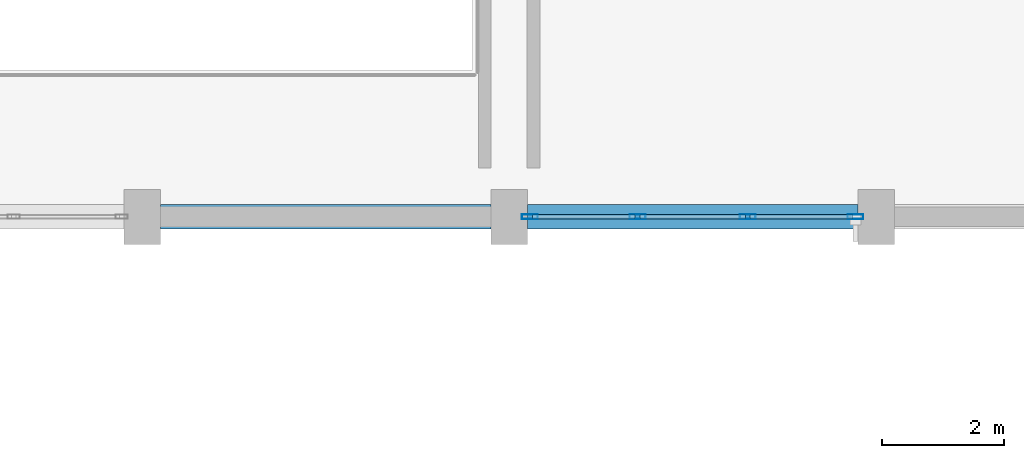
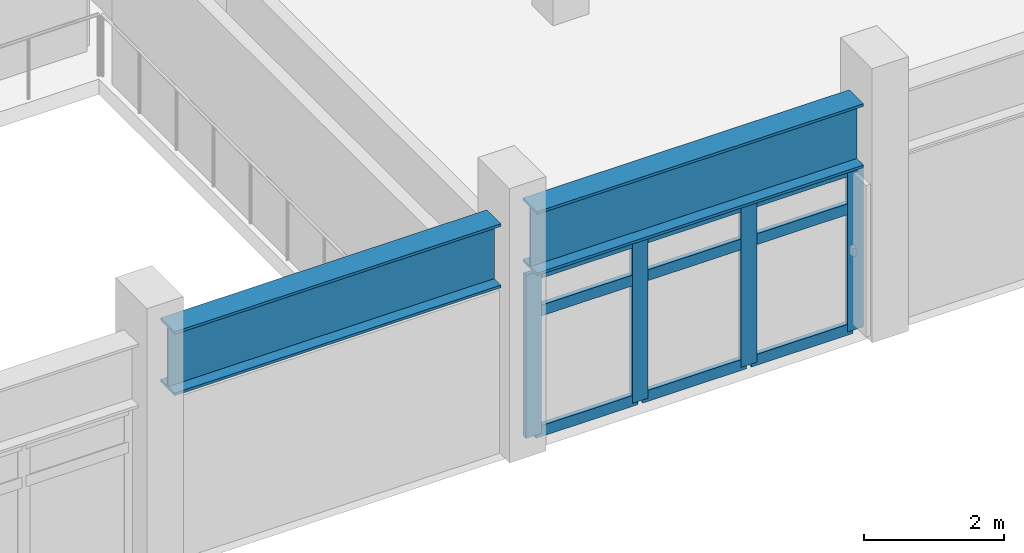
# One storey, part 7 of 62: 13 members, 2 beams, 1 element without a shape of its own.
"""IFC4 building model written with IfcOpenShell, lengths in metres."""

from ifc_helpers import new_model, si_unit, direction, frame, origin, origin_2d, place, context, subcontext, project, spatial, hollow_rectangle, i_section, extrude, material, layer, layer_set, material_profile, profile_set, type_object, element, aggregate, save


model = new_model("IFC4")

# Units and contexts
model_context = context("Model", 3, precision=1e-05, world=origin(), true_north=direction((0.0, 1.0)))
body_context = subcontext(model_context, "Body", "Model", "MODEL_VIEW")
ifc_project = project(units=[si_unit("LENGTHUNIT", "METRE"), si_unit("AREAUNIT", "SQUARE_METRE"), si_unit("VOLUMEUNIT", "CUBIC_METRE"), si_unit("PLANEANGLEUNIT", "RADIAN"), si_unit("MASSUNIT", "GRAM", prefix="KILO")], contexts=[model_context])

# Site, building, storey
site_placement = place(None, origin())
site = spatial("IfcSite", under=ifc_project, at=site_placement, CompositionType="ELEMENT")
building_placement = place(site_placement, origin())
building = spatial("IfcBuilding", under=site, at=building_placement, Name="Vaelkrest Opera House", CompositionType="ELEMENT")
storey_placement = place(building_placement, frame((0.0, 0.0, 19.800048828125)))
storey = spatial("IfcBuildingStorey", under=building, at=storey_placement, Name="L04", CompositionType="ELEMENT", Elevation=19.800048828125)

# Curtain wall, members
ifc_material_1 = material(Name="Dark bronze anodized aluminium", Category="aluminium")
ifc_layer = layer(ifc_material_1, 0.2099609375)
ifc_layer_set = layer_set([ifc_layer], Name="Dark bronze anodized aluminium")
curtain_wall_type = type_object("IfcCurtainWallType", Name="CW04", PredefinedType="NOTDEFINED", material=ifc_layer_set)
curtain_wall_placement = place(storey_placement, origin())
curtain_wall = element("IfcCurtainWall", 1, at=curtain_wall_placement, inside=storey, type_object=curtain_wall_type, Name="Curtain wall CW-L04-138", PredefinedType="NOTDEFINED")
ifc_material_profile_1 = material_profile(ifc_material_1, hollow_rectangle(XDim=0.080078125, YDim=0.260009765625, WallThickness=0.0048828125, at=origin_2d()), Name="CWM80X260")
ifc_profile_set_1 = profile_set([ifc_material_profile_1], Name="Dark bronze anodized aluminium")
member_type_1 = type_object("IfcMemberType", Name="CWM04", PredefinedType="MULLION", material=ifc_profile_set_1)
member_1_placement = place(storey_placement, frame((-45.93798828125, -16.800048828125, 0.0), z_axis=(0.0, 0.0, 1.0), x_axis=(0.0, -1.0, 0.0)))
member_1 = element("IfcMember", 2, at=member_1_placement, type_object=member_type_1, Name="CW04 mullion 1", PredefinedType="MULLION", context=body_context, shape_type="SweptSolid", body=[
    extrude(hollow_rectangle(XDim=0.080078125, YDim=0.260009765625, WallThickness=0.0048828125, at=origin_2d()), origin(), (0.0, 0.0, 1.0), 2.85205078125),
])
member_2_placement = place(storey_placement, frame((-47.69921875, -16.800048828125, 0.0), z_axis=(0.0, 0.0, 1.0), x_axis=(0.0, -1.0, 0.0)))
member_2 = element("IfcMember", 3, at=member_2_placement, type_object=member_type_1, Name="CW04 mullion 2", PredefinedType="MULLION", context=body_context, shape_type="SweptSolid", body=[
    extrude(hollow_rectangle(XDim=0.080078125, YDim=0.260009765625, WallThickness=0.0048828125, at=origin_2d()), origin(), (0.0, 0.0, 1.0), 2.85205078125),
])
member_3_placement = place(storey_placement, frame((-49.500732421875, -16.800048828125, 0.0), z_axis=(0.0, 0.0, 1.0), x_axis=(0.0, -1.0, 0.0)))
member_3 = element("IfcMember", 4, at=member_3_placement, type_object=member_type_1, Name="CW04 mullion 3", PredefinedType="MULLION", context=body_context, shape_type="SweptSolid", body=[
    extrude(hollow_rectangle(XDim=0.080078125, YDim=0.260009765625, WallThickness=0.0048828125, at=origin_2d()), origin(), (0.0, 0.0, 1.0), 2.85205078125),
])
member_4_placement = place(storey_placement, frame((-51.261962890625, -16.800048828125, 0.0), z_axis=(0.0, 0.0, 1.0), x_axis=(0.0, -1.0, 0.0)))
member_4 = element("IfcMember", 5, at=member_4_placement, type_object=member_type_1, Name="CW04 mullion 4", PredefinedType="MULLION", context=body_context, shape_type="SweptSolid", body=[
    extrude(hollow_rectangle(XDim=0.080078125, YDim=0.260009765625, WallThickness=0.0048828125, at=origin_2d()), origin(), (0.0, 0.0, 1.0), 2.85205078125),
])
ifc_material_profile_2 = material_profile(ifc_material_1, hollow_rectangle(XDim=0.080078125, YDim=0.18994140625, WallThickness=0.0048828125, at=origin_2d()), Name="CWT80X190")
ifc_profile_set_2 = profile_set([ifc_material_profile_2], Name="Dark bronze anodized aluminium")
member_type_2 = type_object("IfcMemberType", Name="CWT04", PredefinedType="USERDEFINED", material=ifc_profile_set_2)
member_5_placement = place(storey_placement, frame((-45.97802734375, -16.800048828125, 0.0400390625), z_axis=(-1.0, 0.0, 0.0), x_axis=(0.0, -1.0, 0.0)))
member_5 = element("IfcMember", 6, at=member_5_placement, type_object=member_type_2, Name="CW04 transom 1.1", ObjectType="TRANSOM", PredefinedType="USERDEFINED", context=body_context, shape_type="SweptSolid", body=[
    extrude(hollow_rectangle(XDim=0.080078125, YDim=0.18994140625, WallThickness=0.0048828125, at=origin_2d()), origin(), (0.0, 0.0, 1.0), 1.681396484375),
])
member_6_placement = place(storey_placement, frame((-45.97802734375, -16.800048828125, 2.14990234375), z_axis=(-1.0, 0.0, 0.0), x_axis=(0.0, -1.0, 0.0)))
member_6 = element("IfcMember", 7, at=member_6_placement, type_object=member_type_2, Name="CW04 transom 1.2", ObjectType="TRANSOM", PredefinedType="USERDEFINED", context=body_context, shape_type="SweptSolid", body=[
    extrude(hollow_rectangle(XDim=0.080078125, YDim=0.18994140625, WallThickness=0.0048828125, at=origin_2d()), origin(), (0.0, 0.0, 1.0), 1.681396484375),
])
member_7_placement = place(storey_placement, frame((-45.97802734375, -16.800048828125, 2.81201171875), z_axis=(-1.0, 0.0, 0.0), x_axis=(0.0, -1.0, 0.0)))
member_7 = element("IfcMember", 8, at=member_7_placement, type_object=member_type_2, Name="CW04 transom 1.3", ObjectType="TRANSOM", PredefinedType="USERDEFINED", context=body_context, shape_type="SweptSolid", body=[
    extrude(hollow_rectangle(XDim=0.080078125, YDim=0.18994140625, WallThickness=0.0048828125, at=origin_2d()), origin(), (0.0, 0.0, 1.0), 1.681396484375),
])
member_8_placement = place(storey_placement, frame((-47.7392578125, -16.800048828125, 0.0400390625), z_axis=(-1.0, 0.0, 0.0), x_axis=(0.0, -1.0, 0.0)))
member_8 = element("IfcMember", 9, at=member_8_placement, type_object=member_type_2, Name="CW04 transom 2.1", ObjectType="TRANSOM", PredefinedType="USERDEFINED", context=body_context, shape_type="SweptSolid", body=[
    extrude(hollow_rectangle(XDim=0.080078125, YDim=0.18994140625, WallThickness=0.0048828125, at=origin_2d()), origin(), (0.0, 0.0, 1.0), 1.721435546875),
])
member_9_placement = place(storey_placement, frame((-47.7392578125, -16.800048828125, 2.14990234375), z_axis=(-1.0, 0.0, 0.0), x_axis=(0.0, -1.0, 0.0)))
member_9 = element("IfcMember", 10, at=member_9_placement, type_object=member_type_2, Name="CW04 transom 2.2", ObjectType="TRANSOM", PredefinedType="USERDEFINED", context=body_context, shape_type="SweptSolid", body=[
    extrude(hollow_rectangle(XDim=0.080078125, YDim=0.18994140625, WallThickness=0.0048828125, at=origin_2d()), origin(), (0.0, 0.0, 1.0), 1.721435546875),
])
member_10_placement = place(storey_placement, frame((-47.7392578125, -16.800048828125, 2.81201171875), z_axis=(-1.0, 0.0, 0.0), x_axis=(0.0, -1.0, 0.0)))
member_10 = element("IfcMember", 11, at=member_10_placement, type_object=member_type_2, Name="CW04 transom 2.3", ObjectType="TRANSOM", PredefinedType="USERDEFINED", context=body_context, shape_type="SweptSolid", body=[
    extrude(hollow_rectangle(XDim=0.080078125, YDim=0.18994140625, WallThickness=0.0048828125, at=origin_2d()), origin(), (0.0, 0.0, 1.0), 1.721435546875),
])
member_11_placement = place(storey_placement, frame((-49.540771484375, -16.800048828125, 0.0400390625), z_axis=(-1.0, 0.0, 0.0), x_axis=(0.0, -1.0, 0.0)))
member_11 = element("IfcMember", 12, at=member_11_placement, type_object=member_type_2, Name="CW04 transom 3.1", ObjectType="TRANSOM", PredefinedType="USERDEFINED", context=body_context, shape_type="SweptSolid", body=[
    extrude(hollow_rectangle(XDim=0.080078125, YDim=0.18994140625, WallThickness=0.0048828125, at=origin_2d()), origin(), (0.0, 0.0, 1.0), 1.68115234375),
])
member_12_placement = place(storey_placement, frame((-49.540771484375, -16.800048828125, 2.14990234375), z_axis=(-1.0, 0.0, 0.0), x_axis=(0.0, -1.0, 0.0)))
member_12 = element("IfcMember", 13, at=member_12_placement, type_object=member_type_2, Name="CW04 transom 3.2", ObjectType="TRANSOM", PredefinedType="USERDEFINED", context=body_context, shape_type="SweptSolid", body=[
    extrude(hollow_rectangle(XDim=0.080078125, YDim=0.18994140625, WallThickness=0.0048828125, at=origin_2d()), origin(), (0.0, 0.0, 1.0), 1.68115234375),
])
member_13_placement = place(storey_placement, frame((-49.540771484375, -16.800048828125, 2.81201171875), z_axis=(-1.0, 0.0, 0.0), x_axis=(0.0, -1.0, 0.0)))
member_13 = element("IfcMember", 14, at=member_13_placement, type_object=member_type_2, Name="CW04 transom 3.3", ObjectType="TRANSOM", PredefinedType="USERDEFINED", context=body_context, shape_type="SweptSolid", body=[
    extrude(hollow_rectangle(XDim=0.080078125, YDim=0.18994140625, WallThickness=0.0048828125, at=origin_2d()), origin(), (0.0, 0.0, 1.0), 1.68115234375),
])
aggregate(curtain_wall, [member_1, member_2, member_3, member_4, member_5, member_6, member_7, member_8, member_9, member_10, member_11, member_12, member_13])

# Beams
ifc_material_2 = material(Name="Steel A992 Gr50", Category="steel")
ifc_material_profile_3 = material_profile(ifc_material_2, i_section(OverallWidth=0.405029296875, OverallDepth=1.117919921875, WebThickness=0.02587890625, FlangeThickness=0.044921875, at=origin_2d()), Name="W44X335")
ifc_profile_set_3 = profile_set([ifc_material_profile_3], Name="Steel A992 Gr50")
beam_type = type_object("IfcBeamType", Name="SP05", PredefinedType="SPANDREL", material=ifc_profile_set_3)
for number, where, z_axis, x_axis, name in (
    (15, (-57.300048828125, -16.800048828125, 3.475830078125), (1.0, 0.0, 0.0), (0.0, 1.0, 0.0), "Beam BM-V3-L04-1806"),
    (16, (-51.300048828125, -16.800048828125, 3.475830078125), (1.0, 0.0, 0.0), (0.0, 1.0, 0.0), "Beam BM-V3-L04-1807"),
):
    element("IfcBeam", number, at=place(storey_placement, frame(where, z_axis=z_axis, x_axis=x_axis)), inside=storey, type_object=beam_type, Name=name, PredefinedType="SPANDREL", context=body_context, shape_type="SweptSolid", body=[
        extrude(i_section(OverallWidth=0.405029296875, OverallDepth=1.117919921875, WebThickness=0.02587890625, FlangeThickness=0.044921875, at=origin_2d()), origin(), (0.0, 0.0, 1.0), 5.400146484375),
    ])

save(model, "model.ifc")
